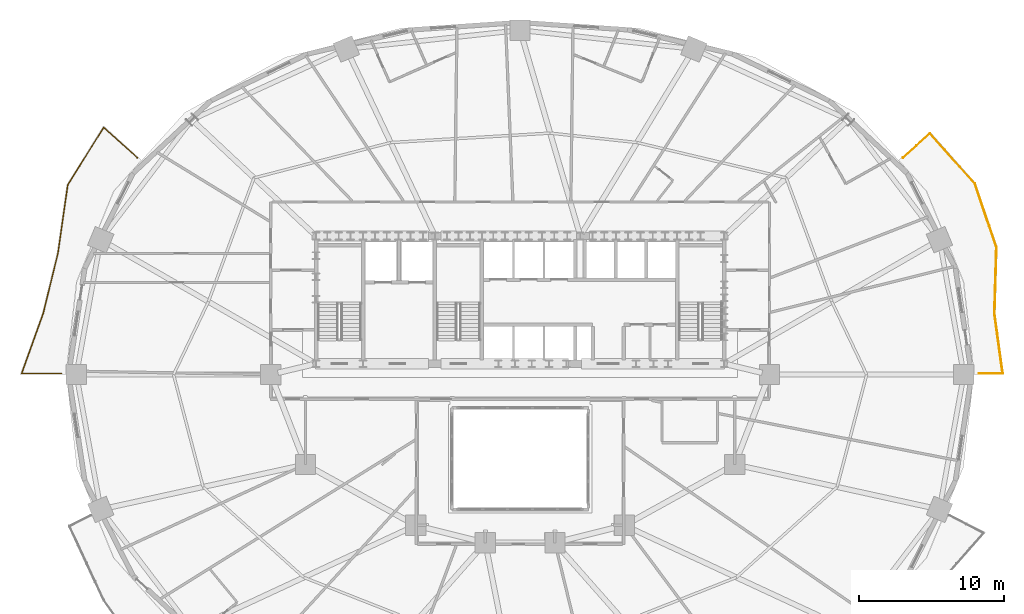
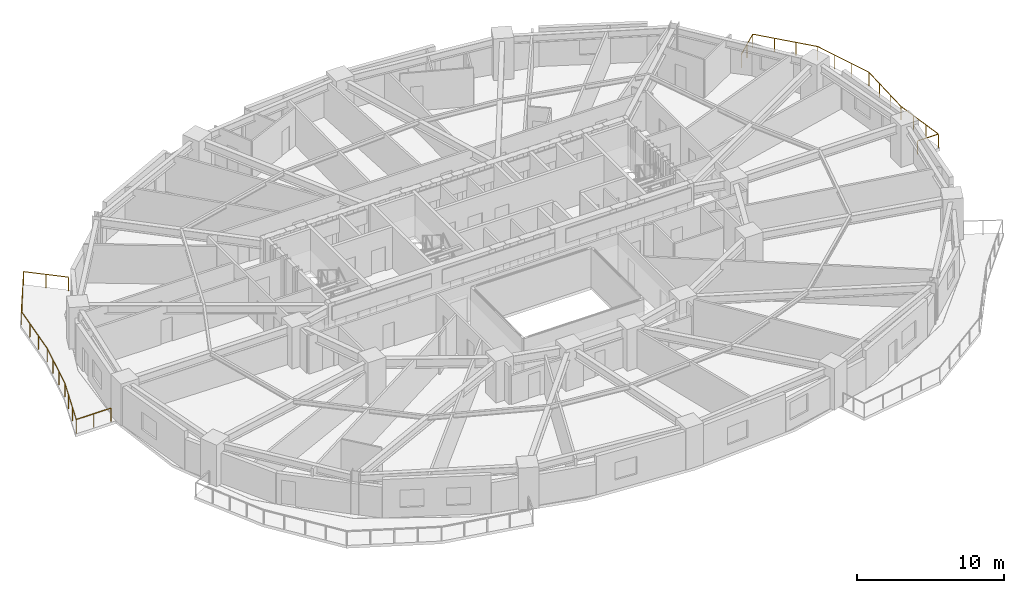
# One storey, part 16 of 16: 2 railings.
"""IFC4 building model written with IfcOpenShell, lengths in metres."""

from ifc_helpers import new_model, si_unit, direction, frame, origin, origin_2d, place, context, subcontext, project, spatial, rectangle, extrude, material, type_object, element, save


model = new_model("IFC4")

# Units and contexts
model_context = context("Model", 3, precision=1e-05, world=origin(), true_north=direction((0.0, 1.0)))
body_context = subcontext(model_context, "Body", "Model", "MODEL_VIEW")
ifc_project = project(units=[si_unit("LENGTHUNIT", "METRE"), si_unit("AREAUNIT", "SQUARE_METRE"), si_unit("VOLUMEUNIT", "CUBIC_METRE"), si_unit("PLANEANGLEUNIT", "RADIAN"), si_unit("MASSUNIT", "GRAM", prefix="KILO")], contexts=[model_context])

# Site, building, storey
site_placement = place(None, origin())
site = spatial("IfcSite", under=ifc_project, at=site_placement, CompositionType="ELEMENT")
building_placement = place(site_placement, origin())
building = spatial("IfcBuilding", under=site, at=building_placement, Name="Haldorwick Loom Tower", CompositionType="ELEMENT")
storey_placement = place(building_placement, frame((0.0, 0.0, 68.85009765625)))
storey = spatial("IfcBuildingStorey", under=building, at=storey_placement, Name="L18", CompositionType="ELEMENT", Elevation=68.85009765625)

# Railings
ifc_material = material(Name="Galvanized Steel CSA G40.21 350W", Category="steel")
railing_type = type_object("IfcRailingType", Name="ARC-RLG-BAL115", PredefinedType="BALUSTRADE", material=ifc_material)
railing_1_placement = place(storey_placement, frame((4.36083984375, 26.080078125, 0.0)))
element("IfcRailing", 1, at=railing_1_placement, inside=storey, type_object=railing_type, Name="L18 Outdoor Terrace Guardrail SLB-L18-BAL_WNW-1", PredefinedType="BALUSTRADE", context=body_context, shape_type="SweptSolid", body=[
    extrude(rectangle(XDim=0.048095703125, YDim=0.048095703125, at=origin_2d()), frame((0.0, 0.0, 1.1259765625), z_axis=(-1.0, 0.0, 0.0), x_axis=(0.0, -1.0, 0.0)), (0.0, 0.0, 1.0), 2.7314453125),
    extrude(rectangle(XDim=0.048095703125, YDim=0.048095703125, at=origin_2d()), frame((-2.7314453125, 0.0, 1.1259765625), z_axis=(0.338488613886, 0.940970487459, 0.0), x_axis=(-0.940970487459, 0.338488613886, 0.0)), (0.0, 0.0, 1.0), 4.381591796875),
    extrude(rectangle(XDim=0.048095703125, YDim=0.048095703125, at=origin_2d()), frame((-1.248291015625, 4.123046875, 1.1259765625), z_axis=(0.290007395283, 0.957024404433, 0.0), x_axis=(-0.957024404433, 0.290007395283, 0.0)), (0.0, 0.0, 1.0), 0.00830078125),
    extrude(rectangle(XDim=0.048095703125, YDim=0.048095703125, at=origin_2d()), frame((-1.245849609375, 4.131103515625, 1.1259765625), z_axis=(0.237633699165, 0.971354839912, 0.0), x_axis=(-0.971354839912, 0.237633699165, 0.0)), (0.0, 0.0, 1.0), 4.280029296875),
    extrude(rectangle(XDim=0.048095703125, YDim=0.048095703125, at=origin_2d()), frame((-0.228759765625, 8.28857421875, 1.1259765625), z_axis=(0.190021906566, 0.98177985059, 0.0), x_axis=(-0.98177985059, 0.190021906566, 0.0)), (0.0, 0.0, 1.0), 0.0078125),
    extrude(rectangle(XDim=0.048095703125, YDim=0.048095703125, at=origin_2d()), frame((-0.227294921875, 8.296142578125, 1.1259765625), z_axis=(0.14191859397, 0.989878332264, 0.0), x_axis=(-0.989878332264, 0.14191859397, 0.0)), (0.0, 0.0, 1.0), 4.742919921875),
    extrude(rectangle(XDim=0.048095703125, YDim=0.048095703125, at=origin_2d()), frame((0.44580078125, 12.990966796875, 1.1259765625), z_axis=(0.529563321948, 0.848270409744, 0.0), x_axis=(-0.848270409744, 0.529563321948, 0.0)), (0.0, 0.0, 1.0), 4.685791015625),
    extrude(rectangle(XDim=0.048095703125, YDim=0.048095703125, at=origin_2d()), frame((2.92724609375, 16.9658203125, 1.1259765625), z_axis=(0.741624845673, -0.670814868858, 0.0), x_axis=(0.670814868858, 0.741624845673, 0.0)), (0.0, 0.0, 1.0), 3.116943359375),
    extrude(rectangle(XDim=0.0419921875, YDim=0.0419921875, at=origin_2d()), origin(), (0.0, 0.0, 1.0), 1.101806640625),
    extrude(rectangle(XDim=0.0419921875, YDim=0.0419921875, at=origin_2d()), frame((-1.36572265625, 0.0, 0.0)), (0.0, 0.0, 1.0), 1.101806640625),
    extrude(rectangle(XDim=0.0419921875, YDim=0.0419921875, at=origin_2d()), frame((-2.7314453125, 0.0, 0.0)), (0.0, 0.0, 1.0), 1.101806640625),
    extrude(rectangle(XDim=0.0419921875, YDim=0.0419921875, at=origin_2d()), frame((-2.237060546875, 1.374267578125, 0.0)), (0.0, 0.0, 1.0), 1.101806640625),
    extrude(rectangle(XDim=0.0419921875, YDim=0.0419921875, at=origin_2d()), frame((-1.74267578125, 2.748779296875, 0.0)), (0.0, 0.0, 1.0), 1.101806640625),
    extrude(rectangle(XDim=0.0419921875, YDim=0.0419921875, at=origin_2d()), frame((-1.248291015625, 4.123046875, 0.0)), (0.0, 0.0, 1.0), 1.101806640625),
    extrude(rectangle(XDim=0.0419921875, YDim=0.0419921875, at=origin_2d()), frame((-0.90673828125, 5.516845703125, 0.0)), (0.0, 0.0, 1.0), 1.101806640625),
    extrude(rectangle(XDim=0.0419921875, YDim=0.0419921875, at=origin_2d()), frame((-0.56787109375, 6.90283203125, 0.0)), (0.0, 0.0, 1.0), 1.101806640625),
    extrude(rectangle(XDim=0.0419921875, YDim=0.0419921875, at=origin_2d()), frame((-0.228759765625, 8.28857421875, 0.0)), (0.0, 0.0, 1.0), 1.101806640625),
    extrude(rectangle(XDim=0.0419921875, YDim=0.0419921875, at=origin_2d()), frame((-0.0029296875, 9.861083984375, 0.0)), (0.0, 0.0, 1.0), 1.101806640625),
    extrude(rectangle(XDim=0.0419921875, YDim=0.0419921875, at=origin_2d()), frame((0.221435546875, 11.426025390625, 0.0)), (0.0, 0.0, 1.0), 1.101806640625),
    extrude(rectangle(XDim=0.0419921875, YDim=0.0419921875, at=origin_2d()), frame((0.44580078125, 12.990966796875, 0.0)), (0.0, 0.0, 1.0), 1.101806640625),
    extrude(rectangle(XDim=0.0419921875, YDim=0.0419921875, at=origin_2d()), frame((1.27294921875, 14.31591796875, 0.0)), (0.0, 0.0, 1.0), 1.101806640625),
    extrude(rectangle(XDim=0.0419921875, YDim=0.0419921875, at=origin_2d()), frame((2.10009765625, 15.640869140625, 0.0)), (0.0, 0.0, 1.0), 1.101806640625),
    extrude(rectangle(XDim=0.0419921875, YDim=0.0419921875, at=origin_2d()), frame((2.92724609375, 16.9658203125, 0.0)), (0.0, 0.0, 1.0), 1.101806640625),
    extrude(rectangle(XDim=0.0419921875, YDim=0.0419921875, at=origin_2d()), frame((4.0830078125, 15.92041015625, 0.0)), (0.0, 0.0, 1.0), 1.101806640625),
    extrude(rectangle(XDim=0.0419921875, YDim=0.0419921875, at=origin_2d()), frame((5.23876953125, 14.875, 0.0)), (0.0, 0.0, 1.0), 1.101806640625),
])
railing_2_placement = place(storey_placement, frame((62.401123046875, 40.9541015625, 0.0)))
element("IfcRailing", 2, at=railing_2_placement, inside=storey, type_object=railing_type, Name="L18 Outdoor Terrace Guardrail SLB-L18-BAL_ENE-1", PredefinedType="BALUSTRADE", context=body_context, shape_type="SweptSolid", body=[
    extrude(rectangle(XDim=0.048095703125, YDim=0.048095703125, at=origin_2d()), frame((0.0, 0.0, 1.1259765625), z_axis=(0.74353574083, 0.668696195674, 0.0), x_axis=(-0.668696195674, 0.74353574083, 0.0)), (0.0, 0.0, 1.0), 2.511962890625),
    extrude(rectangle(XDim=0.048095703125, YDim=0.048095703125, at=origin_2d()), frame((1.86767578125, 1.6796875, 1.1259765625), z_axis=(0.664640925369, -0.747162927563, 0.0), x_axis=(0.747162927563, 0.664640925369, 0.0)), (0.0, 0.0, 1.0), 4.647705078125),
    extrude(rectangle(XDim=0.048095703125, YDim=0.048095703125, at=origin_2d()), frame((4.956787109375, -1.79296875, 1.1259765625), z_axis=(0.32182984281, -0.946797524435, 0.0), x_axis=(0.946797524435, 0.32182984281, 0.0)), (0.0, 0.0, 1.0), 4.623779296875),
    extrude(rectangle(XDim=0.048095703125, YDim=0.048095703125, at=origin_2d()), frame((6.44482421875, -6.170654296875, 1.1259765625), z_axis=(-0.029323982947, -0.999569959545, 0.0), x_axis=(0.999569959545, -0.029323982947, 0.0)), (0.0, 0.0, 1.0), 4.58740234375),
    extrude(rectangle(XDim=0.048095703125, YDim=0.048095703125, at=origin_2d()), frame((6.310302734375, -10.756103515625, 1.1259765625), z_axis=(0.03701166051, -0.999314833767, 0.0), x_axis=(0.999314833767, 0.03701166051, 0.0)), (0.0, 0.0, 1.0), 0.006591796875),
    extrude(rectangle(XDim=0.048095703125, YDim=0.048095703125, at=origin_2d()), frame((6.310546875, -10.7626953125, 1.1259765625), z_axis=(0.073871685515, -0.997267754457, 0.0), x_axis=(0.997267754457, 0.073871685515, 0.0)), (0.0, 0.0, 1.0), 0.006591796875),
    extrude(rectangle(XDim=0.048095703125, YDim=0.048095703125, at=origin_2d()), frame((6.31103515625, -10.769287109375, 1.1259765625), z_axis=(0.136057133851, -0.990700992393, 0.0), x_axis=(0.990700992393, 0.136057133851, 0.0)), (0.0, 0.0, 1.0), 4.143310546875),
    extrude(rectangle(XDim=0.048095703125, YDim=0.048095703125, at=origin_2d()), frame((6.874755859375, -14.8740234375, 1.1259765625), z_axis=(-1.0, 0.0, 0.0), x_axis=(0.0, -1.0, 0.0)), (0.0, 0.0, 1.0), 1.63671875),
    extrude(rectangle(XDim=0.0419921875, YDim=0.0419921875, at=origin_2d()), origin(), (0.0, 0.0, 1.0), 1.101806640625),
    extrude(rectangle(XDim=0.0419921875, YDim=0.0419921875, at=origin_2d()), frame((0.933837890625, 0.83984375, 0.0)), (0.0, 0.0, 1.0), 1.101806640625),
    extrude(rectangle(XDim=0.0419921875, YDim=0.0419921875, at=origin_2d()), frame((1.86767578125, 1.6796875, 0.0)), (0.0, 0.0, 1.0), 1.101806640625),
    extrude(rectangle(XDim=0.0419921875, YDim=0.0419921875, at=origin_2d()), frame((2.8974609375, 0.522216796875, 0.0)), (0.0, 0.0, 1.0), 1.101806640625),
    extrude(rectangle(XDim=0.0419921875, YDim=0.0419921875, at=origin_2d()), frame((3.927001953125, -0.635498046875, 0.0)), (0.0, 0.0, 1.0), 1.101806640625),
    extrude(rectangle(XDim=0.0419921875, YDim=0.0419921875, at=origin_2d()), frame((4.956787109375, -1.79296875, 0.0)), (0.0, 0.0, 1.0), 1.101806640625),
    extrude(rectangle(XDim=0.0419921875, YDim=0.0419921875, at=origin_2d()), frame((5.452880859375, -3.252197265625, 0.0)), (0.0, 0.0, 1.0), 1.101806640625),
    extrude(rectangle(XDim=0.0419921875, YDim=0.0419921875, at=origin_2d()), frame((5.94873046875, -4.71142578125, 0.0)), (0.0, 0.0, 1.0), 1.101806640625),
    extrude(rectangle(XDim=0.0419921875, YDim=0.0419921875, at=origin_2d()), frame((6.44482421875, -6.170654296875, 0.0)), (0.0, 0.0, 1.0), 1.101806640625),
    extrude(rectangle(XDim=0.0419921875, YDim=0.0419921875, at=origin_2d()), frame((6.39990234375, -7.69921875, 0.0)), (0.0, 0.0, 1.0), 1.101806640625),
    extrude(rectangle(XDim=0.0419921875, YDim=0.0419921875, at=origin_2d()), frame((6.355224609375, -9.2275390625, 0.0)), (0.0, 0.0, 1.0), 1.101806640625),
    extrude(rectangle(XDim=0.0419921875, YDim=0.0419921875, at=origin_2d()), frame((6.310302734375, -10.756103515625, 0.0)), (0.0, 0.0, 1.0), 1.101806640625),
    extrude(rectangle(XDim=0.0419921875, YDim=0.0419921875, at=origin_2d()), frame((6.4990234375, -12.137451171875, 0.0)), (0.0, 0.0, 1.0), 1.101806640625),
    extrude(rectangle(XDim=0.0419921875, YDim=0.0419921875, at=origin_2d()), frame((6.686767578125, -13.505859375, 0.0)), (0.0, 0.0, 1.0), 1.101806640625),
    extrude(rectangle(XDim=0.0419921875, YDim=0.0419921875, at=origin_2d()), frame((6.874755859375, -14.8740234375, 0.0)), (0.0, 0.0, 1.0), 1.101806640625),
    extrude(rectangle(XDim=0.0419921875, YDim=0.0419921875, at=origin_2d()), frame((5.238037109375, -14.8740234375, 0.0)), (0.0, 0.0, 1.0), 1.101806640625),
])

save(model, "model.ifc")
